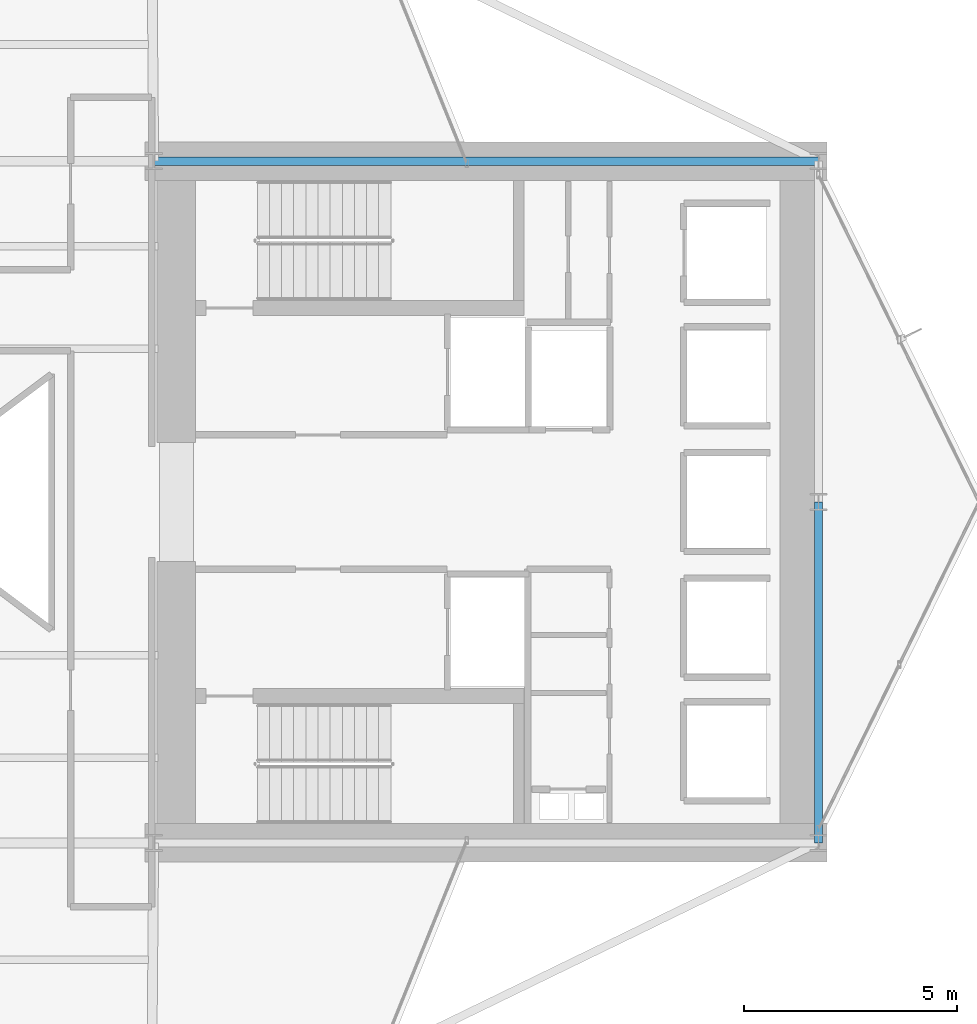
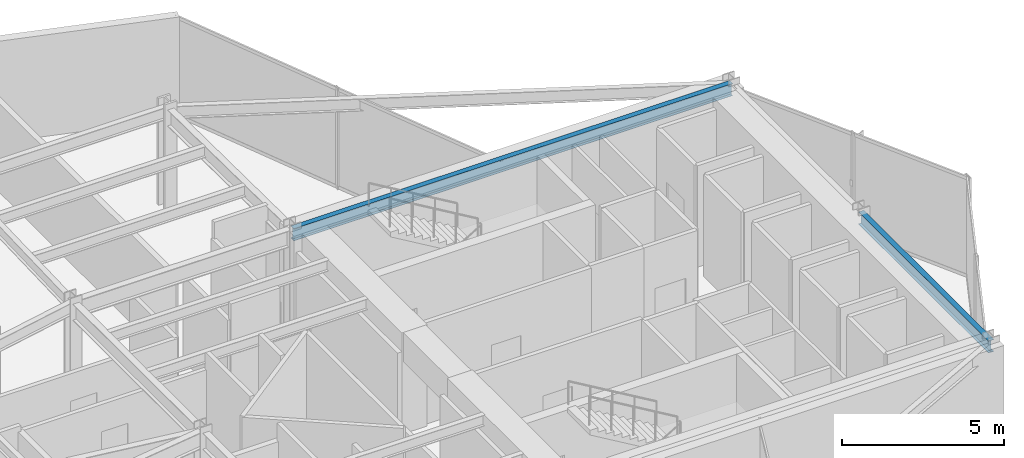
# One storey, part 18 of 30: 2 beams.
"""IFC4 building model written with IfcOpenShell, lengths in metres."""

from ifc_helpers import new_model, si_unit, direction, frame, origin, origin_2d, place, context, subcontext, project, spatial, i_section, extrude, material, material_profile, profile_set, type_object, element, save


model = new_model("IFC4")

# Units and contexts
model_context = context("Model", 3, precision=1e-05, world=origin(), true_north=direction((0.0, 1.0)))
body_context = subcontext(model_context, "Body", "Model", "MODEL_VIEW")
ifc_project = project(units=[si_unit("LENGTHUNIT", "METRE"), si_unit("AREAUNIT", "SQUARE_METRE"), si_unit("VOLUMEUNIT", "CUBIC_METRE"), si_unit("PLANEANGLEUNIT", "RADIAN"), si_unit("MASSUNIT", "GRAM", prefix="KILO")], contexts=[model_context])

# Site, building, storey
site_placement = place(None, origin())
site = spatial("IfcSite", under=ifc_project, at=site_placement, CompositionType="ELEMENT")
building_placement = place(site_placement, origin())
building = spatial("IfcBuilding", under=site, at=building_placement, Name="Veymaron Broadcast Tower", CompositionType="ELEMENT")
storey_placement = place(building_placement, frame((0.0, 0.0, 66.14990234375)))
storey = spatial("IfcBuildingStorey", under=building, at=storey_placement, Name="L14", CompositionType="ELEMENT", Elevation=66.14990234375)

# Beams
ifc_material = material(Name="Structural steel ASTM A992 Gr 50", Category="steel")
ifc_material_profile = material_profile(ifc_material, i_section(OverallWidth=0.19091796875, OverallDepth=0.4599609375, WebThickness=0.010009765625, FlangeThickness=0.01611328125, at=origin_2d()), Name="W460X82")
ifc_profile_set = profile_set([ifc_material_profile], Name="Structural steel ASTM A992 Gr 50")
beam_type = type_object("IfcBeamType", Name="BM-SP1", PredefinedType="SPANDREL", material=ifc_profile_set)
beam_1_placement = place(storey_placement, frame((39.0, 32.0, 3.580078125), z_axis=(1.0, 0.0, 0.0), x_axis=(0.0, 1.0, 0.0)))
element("IfcBeam", 1, at=beam_1_placement, inside=storey, type_object=beam_type, Name="L14 primary structural floor girder", PredefinedType="SPANDREL", context=body_context, shape_type="SweptSolid", body=[
    extrude(i_section(OverallWidth=0.19091796875, OverallDepth=0.4599609375, WebThickness=0.010009765625, FlangeThickness=0.01611328125, at=origin_2d()), origin(), (0.0, 0.0, 1.0), 15.60009765625),
])
beam_2_placement = place(storey_placement, frame((54.60009765625, 16.0, 3.580078125), z_axis=(0.0, 1.0, 0.0), x_axis=(-1.0, 0.0, 0.0)))
element("IfcBeam", 2, at=beam_2_placement, inside=storey, type_object=beam_type, Name="L14 primary structural floor girder", PredefinedType="SPANDREL", context=body_context, shape_type="SweptSolid", body=[
    extrude(i_section(OverallWidth=0.19091796875, OverallDepth=0.4599609375, WebThickness=0.010009765625, FlangeThickness=0.01611328125, at=origin_2d()), origin(), (0.0, 0.0, 1.0), 8.0),
])

save(model, "model.ifc")
